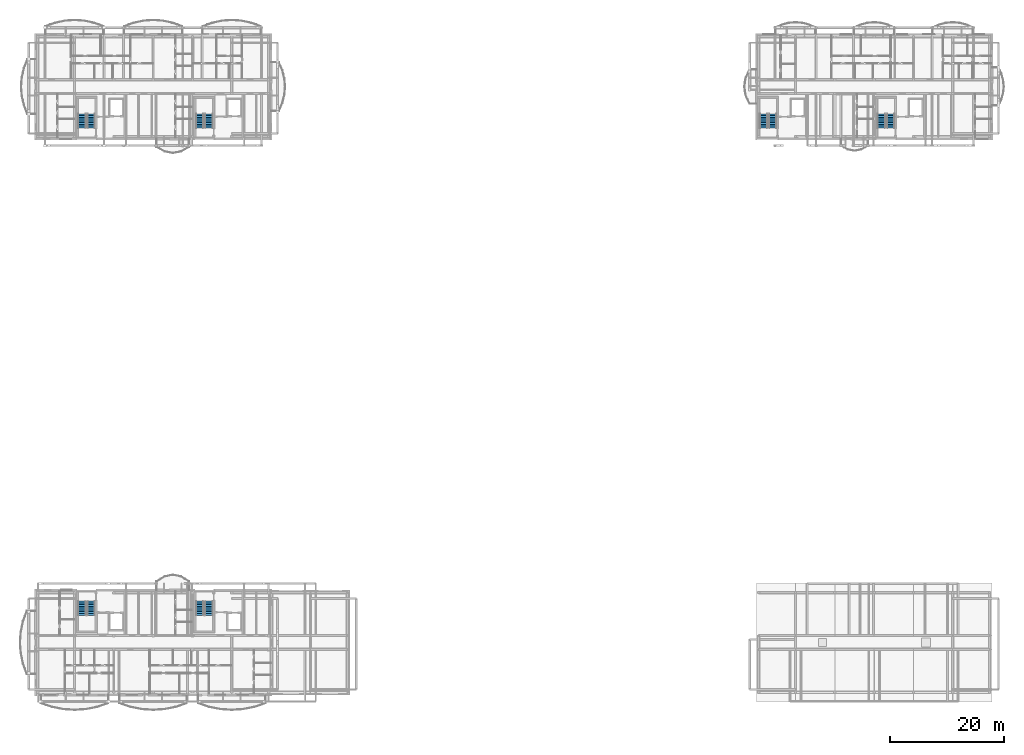
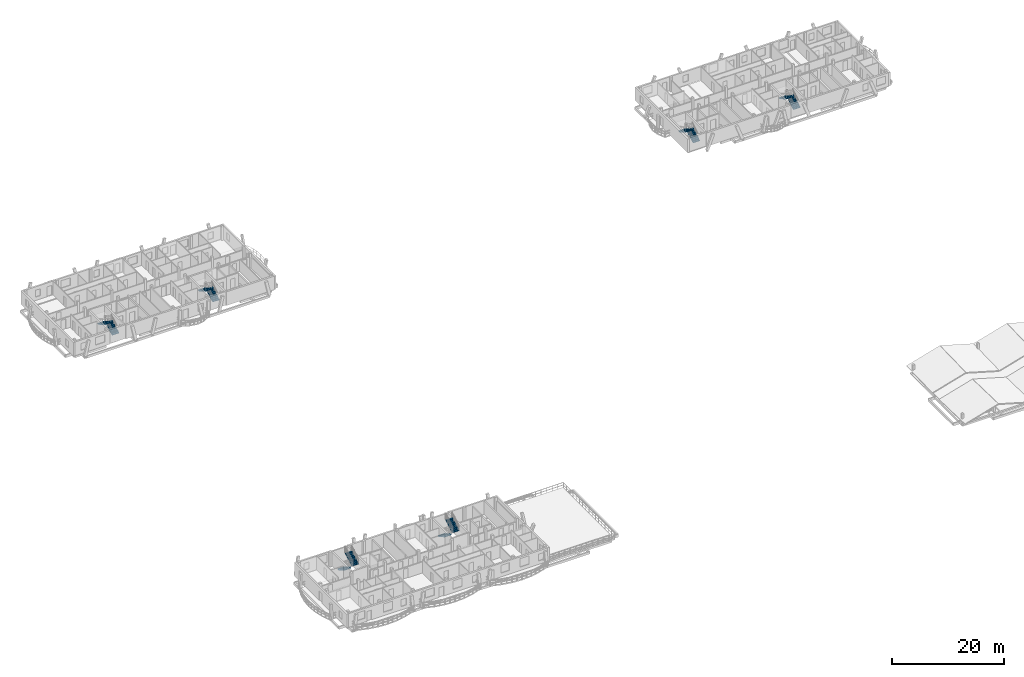
# One storey, part 25 of 33: 12 stair flights, 6 elements without a shape of their own.
"""IFC4 building model written with IfcOpenShell, lengths in metres."""

from ifc_helpers import new_model, si_unit, direction, frame, origin, place, context, subcontext, project, spatial, polyline, outline, extrude, material, type_object, element, aggregate, save


model = new_model("IFC4")

# Units and contexts
model_context = context("Model", 3, precision=1e-05, world=origin(), true_north=direction((0.0, 1.0)))
body_context = subcontext(model_context, "Body", "Model", "MODEL_VIEW")
ifc_project = project(units=[si_unit("LENGTHUNIT", "METRE"), si_unit("AREAUNIT", "SQUARE_METRE"), si_unit("VOLUMEUNIT", "CUBIC_METRE"), si_unit("PLANEANGLEUNIT", "RADIAN"), si_unit("MASSUNIT", "GRAM", prefix="KILO")], contexts=[model_context])

# Site, building, storey
site_placement = place(None, origin())
site = spatial("IfcSite", under=ifc_project, at=site_placement, CompositionType="ELEMENT")
building_placement = place(site_placement, origin())
building = spatial("IfcBuilding", under=site, at=building_placement, Name="Zavelmont Quarter", CompositionType="ELEMENT")
storey_placement = place(building_placement, frame((0.0, 0.0, 30.39990234375)))
storey = spatial("IfcBuildingStorey", under=building, at=storey_placement, Name="L09", CompositionType="ELEMENT", Elevation=30.39990234375)

# Stair, stair flights
ifc_material = material(Name="Concrete C35/45", Category="concrete")
stair_type = type_object("IfcStairType", Name="STR-1400-1778", PredefinedType="HALF_TURN_STAIR", material=ifc_material)
stair_1_placement = place(storey_placement, origin())
stair_1 = element("IfcStair", 1, at=stair_1_placement, inside=storey, type_object=stair_type, Name="L09 protected stair ST01", PredefinedType="HALF_TURN_STAIR")
stair_flight_type = type_object("IfcStairFlightType", Name="STF-1400-1778", PredefinedType="STRAIGHT", material=ifc_material)
stair_flight_1_placement = place(storey_placement, frame((8.199951171875, 16.449951171875, 0.0), z_axis=(0.0, 0.0, 1.0), x_axis=(0.0, -1.0, 0.0)))
stair_flight_1 = element("IfcStairFlight", 2, at=stair_flight_1_placement, type_object=stair_flight_type, Name="ST01 flight 1", NumberOfRisers=9, NumberOfTreads=8, PredefinedType="STRAIGHT", RiserHeight=0.177777778, TreadLength=0.31, context=body_context, shape_type="SweptSolid", body=[
    extrude(outline(polyline([(0.0, 0.0), (0.0, 0.177734375), (0.31005859375, 0.177734375), (0.31005859375, 0.35546875), (0.6201171875, 0.35546875), (0.6201171875, 0.533447265625), (0.929931640625, 0.533447265625), (0.929931640625, 0.711181640625), (1.239990234375, 0.711181640625), (1.239990234375, 0.888916015625), (1.550048828125, 0.888916015625), (1.550048828125, 1.066650390625), (1.860107421875, 1.066650390625), (1.860107421875, 1.244384765625), (2.169921875, 1.244384765625), (2.169921875, 1.422119140625), (2.47998046875, 1.422119140625), (2.47998046875, 1.60009765625), (2.47998046875, 1.23779296875), (0.321533203125, 0.0), (0.0, 0.0)])), frame((0.0, 0.699951171875, 0.0), z_axis=(0.0, -1.0, 0.0), x_axis=(1.0, 0.0, 0.0)), (0.0, 0.0, 1.0), 1.39990234375),
])
stair_flight_2_placement = place(storey_placement, frame((9.800048828125, 13.969970703125, 1.60009765625), z_axis=(0.0, 0.0, 1.0), x_axis=(0.0, 1.0, 0.0)))
stair_flight_2 = element("IfcStairFlight", 3, at=stair_flight_2_placement, type_object=stair_flight_type, Name="ST01 flight 2", NumberOfRisers=9, NumberOfTreads=8, PredefinedType="STRAIGHT", RiserHeight=0.177777778, TreadLength=0.31, context=body_context, shape_type="SweptSolid", body=[
    extrude(outline(polyline([(0.0, 0.0), (0.0, 0.177734375), (0.31005859375, 0.177734375), (0.31005859375, 0.35546875), (0.6201171875, 0.35546875), (0.6201171875, 0.533447265625), (0.929931640625, 0.533447265625), (0.929931640625, 0.711181640625), (1.239990234375, 0.711181640625), (1.239990234375, 0.888916015625), (1.550048828125, 0.888916015625), (1.550048828125, 1.066650390625), (1.860107421875, 1.066650390625), (1.860107421875, 1.244384765625), (2.169921875, 1.244384765625), (2.169921875, 1.422119140625), (2.47998046875, 1.422119140625), (2.47998046875, 1.60009765625), (2.47998046875, 1.23779296875), (0.321533203125, 0.0), (0.0, 0.0)])), frame((0.0, 0.699951171875, 0.0), z_axis=(0.0, -1.0, 0.0), x_axis=(1.0, 0.0, 0.0)), (0.0, 0.0, 1.0), 1.39990234375),
])
aggregate(stair_1, [stair_flight_1, stair_flight_2])

stair_2_placement = place(storey_placement, origin())
stair_2 = element("IfcStair", 4, at=stair_2_placement, inside=storey, type_object=stair_type, Name="L09 protected stair ST02", PredefinedType="HALF_TURN_STAIR")
stair_flight_3_placement = place(storey_placement, frame((28.89990234375, 16.449951171875, 0.0), z_axis=(0.0, 0.0, 1.0), x_axis=(0.0, -1.0, 0.0)))
stair_flight_3 = element("IfcStairFlight", 5, at=stair_flight_3_placement, type_object=stair_flight_type, Name="ST02 flight 1", NumberOfRisers=9, NumberOfTreads=8, PredefinedType="STRAIGHT", RiserHeight=0.177777778, TreadLength=0.31, context=body_context, shape_type="SweptSolid", body=[
    extrude(outline(polyline([(0.0, 0.0), (0.0, 0.177734375), (0.31005859375, 0.177734375), (0.31005859375, 0.35546875), (0.6201171875, 0.35546875), (0.6201171875, 0.533447265625), (0.929931640625, 0.533447265625), (0.929931640625, 0.711181640625), (1.239990234375, 0.711181640625), (1.239990234375, 0.888916015625), (1.550048828125, 0.888916015625), (1.550048828125, 1.066650390625), (1.860107421875, 1.066650390625), (1.860107421875, 1.244384765625), (2.169921875, 1.244384765625), (2.169921875, 1.422119140625), (2.47998046875, 1.422119140625), (2.47998046875, 1.60009765625), (2.47998046875, 1.23779296875), (0.321533203125, 0.0), (0.0, 0.0)])), frame((0.0, 0.699951171875, 0.0), z_axis=(0.0, -1.0, 0.0), x_axis=(1.0, 0.0, 0.0)), (0.0, 0.0, 1.0), 1.39990234375),
])
stair_flight_4_placement = place(storey_placement, frame((30.5, 13.969970703125, 1.60009765625), z_axis=(0.0, 0.0, 1.0), x_axis=(0.0, 1.0, 0.0)))
stair_flight_4 = element("IfcStairFlight", 6, at=stair_flight_4_placement, type_object=stair_flight_type, Name="ST02 flight 2", NumberOfRisers=9, NumberOfTreads=8, PredefinedType="STRAIGHT", RiserHeight=0.177777778, TreadLength=0.31, context=body_context, shape_type="SweptSolid", body=[
    extrude(outline(polyline([(0.0, 0.0), (0.0, 0.177734375), (0.31005859375, 0.177734375), (0.31005859375, 0.35546875), (0.6201171875, 0.35546875), (0.6201171875, 0.533447265625), (0.929931640625, 0.533447265625), (0.929931640625, 0.711181640625), (1.239990234375, 0.711181640625), (1.239990234375, 0.888916015625), (1.550048828125, 0.888916015625), (1.550048828125, 1.066650390625), (1.860107421875, 1.066650390625), (1.860107421875, 1.244384765625), (2.169921875, 1.244384765625), (2.169921875, 1.422119140625), (2.47998046875, 1.422119140625), (2.47998046875, 1.60009765625), (2.47998046875, 1.23779296875), (0.321533203125, 0.0), (0.0, 0.0)])), frame((0.0, 0.699951171875, 0.0), z_axis=(0.0, -1.0, 0.0), x_axis=(1.0, 0.0, 0.0)), (0.0, 0.0, 1.0), 1.39990234375),
])
aggregate(stair_2, [stair_flight_3, stair_flight_4])

stair_3_placement = place(storey_placement, origin())
stair_3 = element("IfcStair", 7, at=stair_3_placement, inside=storey, type_object=stair_type, Name="L09 protected stair ST03", PredefinedType="HALF_TURN_STAIR")
stair_flight_5_placement = place(storey_placement, frame((9.800048828125, 99.550048828125, 0.0), z_axis=(0.0, 0.0, 1.0), x_axis=(0.0, 1.0, 0.0)))
stair_flight_5 = element("IfcStairFlight", 8, at=stair_flight_5_placement, type_object=stair_flight_type, Name="ST03 flight 1", NumberOfRisers=9, NumberOfTreads=8, PredefinedType="STRAIGHT", RiserHeight=0.177777778, TreadLength=0.31, context=body_context, shape_type="SweptSolid", body=[
    extrude(outline(polyline([(0.0, 0.0), (0.0, 0.177734375), (0.31005859375, 0.177734375), (0.31005859375, 0.35546875), (0.6201171875, 0.35546875), (0.6201171875, 0.533447265625), (0.929931640625, 0.533447265625), (0.929931640625, 0.711181640625), (1.239990234375, 0.711181640625), (1.239990234375, 0.888916015625), (1.550048828125, 0.888916015625), (1.550048828125, 1.066650390625), (1.860107421875, 1.066650390625), (1.860107421875, 1.244384765625), (2.169921875, 1.244384765625), (2.169921875, 1.422119140625), (2.47998046875, 1.422119140625), (2.47998046875, 1.60009765625), (2.47998046875, 1.23779296875), (0.321533203125, 0.0), (0.0, 0.0)])), frame((0.0, 0.699951171875, 0.0), z_axis=(0.0, -1.0, 0.0), x_axis=(1.0, 0.0, 0.0)), (0.0, 0.0, 1.0), 1.39990234375),
])
stair_flight_6_placement = place(storey_placement, frame((8.199951171875, 102.030029296875, 1.60009765625), z_axis=(0.0, 0.0, 1.0), x_axis=(0.0, -1.0, 0.0)))
stair_flight_6 = element("IfcStairFlight", 9, at=stair_flight_6_placement, type_object=stair_flight_type, Name="ST03 flight 2", NumberOfRisers=9, NumberOfTreads=8, PredefinedType="STRAIGHT", RiserHeight=0.177777778, TreadLength=0.31, context=body_context, shape_type="SweptSolid", body=[
    extrude(outline(polyline([(0.0, 0.0), (0.0, 0.177734375), (0.31005859375, 0.177734375), (0.31005859375, 0.35546875), (0.6201171875, 0.35546875), (0.6201171875, 0.533447265625), (0.929931640625, 0.533447265625), (0.929931640625, 0.711181640625), (1.239990234375, 0.711181640625), (1.239990234375, 0.888916015625), (1.550048828125, 0.888916015625), (1.550048828125, 1.066650390625), (1.860107421875, 1.066650390625), (1.860107421875, 1.244384765625), (2.169921875, 1.244384765625), (2.169921875, 1.422119140625), (2.47998046875, 1.422119140625), (2.47998046875, 1.60009765625), (2.47998046875, 1.23779296875), (0.321533203125, 0.0), (0.0, 0.0)])), frame((0.0, 0.699951171875, 0.0), z_axis=(0.0, -1.0, 0.0), x_axis=(1.0, 0.0, 0.0)), (0.0, 0.0, 1.0), 1.39990234375),
])
aggregate(stair_3, [stair_flight_5, stair_flight_6])

stair_4_placement = place(storey_placement, origin())
stair_4 = element("IfcStair", 10, at=stair_4_placement, inside=storey, type_object=stair_type, Name="L09 protected stair ST04", PredefinedType="HALF_TURN_STAIR")
stair_flight_7_placement = place(storey_placement, frame((30.5, 99.550048828125, 0.0), z_axis=(0.0, 0.0, 1.0), x_axis=(0.0, 1.0, 0.0)))
stair_flight_7 = element("IfcStairFlight", 11, at=stair_flight_7_placement, type_object=stair_flight_type, Name="ST04 flight 1", NumberOfRisers=9, NumberOfTreads=8, PredefinedType="STRAIGHT", RiserHeight=0.177777778, TreadLength=0.31, context=body_context, shape_type="SweptSolid", body=[
    extrude(outline(polyline([(0.0, 0.0), (0.0, 0.177734375), (0.31005859375, 0.177734375), (0.31005859375, 0.35546875), (0.6201171875, 0.35546875), (0.6201171875, 0.533447265625), (0.929931640625, 0.533447265625), (0.929931640625, 0.711181640625), (1.239990234375, 0.711181640625), (1.239990234375, 0.888916015625), (1.550048828125, 0.888916015625), (1.550048828125, 1.066650390625), (1.860107421875, 1.066650390625), (1.860107421875, 1.244384765625), (2.169921875, 1.244384765625), (2.169921875, 1.422119140625), (2.47998046875, 1.422119140625), (2.47998046875, 1.60009765625), (2.47998046875, 1.23779296875), (0.321533203125, 0.0), (0.0, 0.0)])), frame((0.0, 0.699951171875, 0.0), z_axis=(0.0, -1.0, 0.0), x_axis=(1.0, 0.0, 0.0)), (0.0, 0.0, 1.0), 1.39990234375),
])
stair_flight_8_placement = place(storey_placement, frame((28.89990234375, 102.030029296875, 1.60009765625), z_axis=(0.0, 0.0, 1.0), x_axis=(0.0, -1.0, 0.0)))
stair_flight_8 = element("IfcStairFlight", 12, at=stair_flight_8_placement, type_object=stair_flight_type, Name="ST04 flight 2", NumberOfRisers=9, NumberOfTreads=8, PredefinedType="STRAIGHT", RiserHeight=0.177777778, TreadLength=0.31, context=body_context, shape_type="SweptSolid", body=[
    extrude(outline(polyline([(0.0, 0.0), (0.0, 0.177734375), (0.31005859375, 0.177734375), (0.31005859375, 0.35546875), (0.6201171875, 0.35546875), (0.6201171875, 0.533447265625), (0.929931640625, 0.533447265625), (0.929931640625, 0.711181640625), (1.239990234375, 0.711181640625), (1.239990234375, 0.888916015625), (1.550048828125, 0.888916015625), (1.550048828125, 1.066650390625), (1.860107421875, 1.066650390625), (1.860107421875, 1.244384765625), (2.169921875, 1.244384765625), (2.169921875, 1.422119140625), (2.47998046875, 1.422119140625), (2.47998046875, 1.60009765625), (2.47998046875, 1.23779296875), (0.321533203125, 0.0), (0.0, 0.0)])), frame((0.0, 0.699951171875, 0.0), z_axis=(0.0, -1.0, 0.0), x_axis=(1.0, 0.0, 0.0)), (0.0, 0.0, 1.0), 1.39990234375),
])
aggregate(stair_4, [stair_flight_7, stair_flight_8])

stair_5_placement = place(storey_placement, origin())
stair_5 = element("IfcStair", 13, at=stair_5_placement, inside=storey, type_object=stair_type, Name="L09 protected stair ST05", PredefinedType="HALF_TURN_STAIR")
stair_flight_9_placement = place(storey_placement, frame((129.5, 99.550048828125, 0.0), z_axis=(0.0, 0.0, 1.0), x_axis=(0.0, 1.0, 0.0)))
stair_flight_9 = element("IfcStairFlight", 14, at=stair_flight_9_placement, type_object=stair_flight_type, Name="ST05 flight 1", NumberOfRisers=9, NumberOfTreads=8, PredefinedType="STRAIGHT", RiserHeight=0.177777778, TreadLength=0.31, context=body_context, shape_type="SweptSolid", body=[
    extrude(outline(polyline([(0.0, 0.0), (0.0, 0.177734375), (0.31005859375, 0.177734375), (0.31005859375, 0.35546875), (0.6201171875, 0.35546875), (0.6201171875, 0.533447265625), (0.929931640625, 0.533447265625), (0.929931640625, 0.711181640625), (1.239990234375, 0.711181640625), (1.239990234375, 0.888916015625), (1.550048828125, 0.888916015625), (1.550048828125, 1.066650390625), (1.860107421875, 1.066650390625), (1.860107421875, 1.244384765625), (2.169921875, 1.244384765625), (2.169921875, 1.422119140625), (2.47998046875, 1.422119140625), (2.47998046875, 1.60009765625), (2.47998046875, 1.23779296875), (0.321533203125, 0.0), (0.0, 0.0)])), frame((0.0, 0.699951171875, 0.0), z_axis=(0.0, -1.0, 0.0), x_axis=(1.0, 0.0, 0.0)), (0.0, 0.0, 1.0), 1.39990234375),
])
stair_flight_10_placement = place(storey_placement, frame((127.89990234375, 102.030029296875, 1.60009765625), z_axis=(0.0, 0.0, 1.0), x_axis=(0.0, -1.0, 0.0)))
stair_flight_10 = element("IfcStairFlight", 15, at=stair_flight_10_placement, type_object=stair_flight_type, Name="ST05 flight 2", NumberOfRisers=9, NumberOfTreads=8, PredefinedType="STRAIGHT", RiserHeight=0.177777778, TreadLength=0.31, context=body_context, shape_type="SweptSolid", body=[
    extrude(outline(polyline([(0.0, 0.0), (0.0, 0.177734375), (0.31005859375, 0.177734375), (0.31005859375, 0.35546875), (0.6201171875, 0.35546875), (0.6201171875, 0.533447265625), (0.929931640625, 0.533447265625), (0.929931640625, 0.711181640625), (1.239990234375, 0.711181640625), (1.239990234375, 0.888916015625), (1.550048828125, 0.888916015625), (1.550048828125, 1.066650390625), (1.860107421875, 1.066650390625), (1.860107421875, 1.244384765625), (2.169921875, 1.244384765625), (2.169921875, 1.422119140625), (2.47998046875, 1.422119140625), (2.47998046875, 1.60009765625), (2.47998046875, 1.23779296875), (0.321533203125, 0.0), (0.0, 0.0)])), frame((0.0, 0.699951171875, 0.0), z_axis=(0.0, -1.0, 0.0), x_axis=(1.0, 0.0, 0.0)), (0.0, 0.0, 1.0), 1.39990234375),
])
aggregate(stair_5, [stair_flight_9, stair_flight_10])

stair_6_placement = place(storey_placement, origin())
stair_6 = element("IfcStair", 16, at=stair_6_placement, inside=storey, type_object=stair_type, Name="L09 protected stair ST06", PredefinedType="HALF_TURN_STAIR")
stair_flight_11_placement = place(storey_placement, frame((150.199951171875, 99.550048828125, 0.0), z_axis=(0.0, 0.0, 1.0), x_axis=(0.0, 1.0, 0.0)))
stair_flight_11 = element("IfcStairFlight", 17, at=stair_flight_11_placement, type_object=stair_flight_type, Name="ST06 flight 1", NumberOfRisers=9, NumberOfTreads=8, PredefinedType="STRAIGHT", RiserHeight=0.177777778, TreadLength=0.31, context=body_context, shape_type="SweptSolid", body=[
    extrude(outline(polyline([(0.0, 0.0), (0.0, 0.177734375), (0.31005859375, 0.177734375), (0.31005859375, 0.35546875), (0.6201171875, 0.35546875), (0.6201171875, 0.533447265625), (0.929931640625, 0.533447265625), (0.929931640625, 0.711181640625), (1.239990234375, 0.711181640625), (1.239990234375, 0.888916015625), (1.550048828125, 0.888916015625), (1.550048828125, 1.066650390625), (1.860107421875, 1.066650390625), (1.860107421875, 1.244384765625), (2.169921875, 1.244384765625), (2.169921875, 1.422119140625), (2.47998046875, 1.422119140625), (2.47998046875, 1.60009765625), (2.47998046875, 1.23779296875), (0.321533203125, 0.0), (0.0, 0.0)])), frame((0.0, 0.699951171875, 0.0), z_axis=(0.0, -1.0, 0.0), x_axis=(1.0, 0.0, 0.0)), (0.0, 0.0, 1.0), 1.39990234375),
])
stair_flight_12_placement = place(storey_placement, frame((148.60009765625, 102.030029296875, 1.60009765625), z_axis=(0.0, 0.0, 1.0), x_axis=(0.0, -1.0, 0.0)))
stair_flight_12 = element("IfcStairFlight", 18, at=stair_flight_12_placement, type_object=stair_flight_type, Name="ST06 flight 2", NumberOfRisers=9, NumberOfTreads=8, PredefinedType="STRAIGHT", RiserHeight=0.177777778, TreadLength=0.31, context=body_context, shape_type="SweptSolid", body=[
    extrude(outline(polyline([(0.0, 0.0), (0.0, 0.177734375), (0.31005859375, 0.177734375), (0.31005859375, 0.35546875), (0.6201171875, 0.35546875), (0.6201171875, 0.533447265625), (0.929931640625, 0.533447265625), (0.929931640625, 0.711181640625), (1.239990234375, 0.711181640625), (1.239990234375, 0.888916015625), (1.550048828125, 0.888916015625), (1.550048828125, 1.066650390625), (1.860107421875, 1.066650390625), (1.860107421875, 1.244384765625), (2.169921875, 1.244384765625), (2.169921875, 1.422119140625), (2.47998046875, 1.422119140625), (2.47998046875, 1.60009765625), (2.47998046875, 1.23779296875), (0.321533203125, 0.0), (0.0, 0.0)])), frame((0.0, 0.699951171875, 0.0), z_axis=(0.0, -1.0, 0.0), x_axis=(1.0, 0.0, 0.0)), (0.0, 0.0, 1.0), 1.39990234375),
])
aggregate(stair_6, [stair_flight_11, stair_flight_12])

save(model, "model.ifc")
